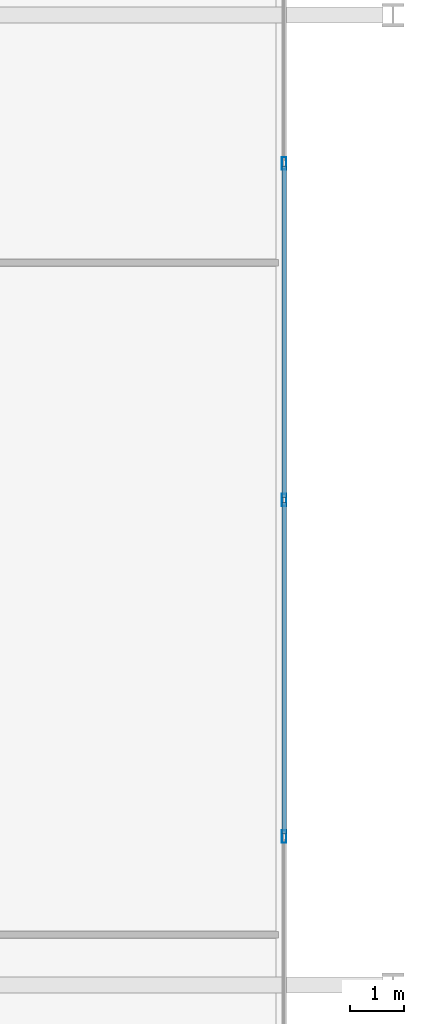
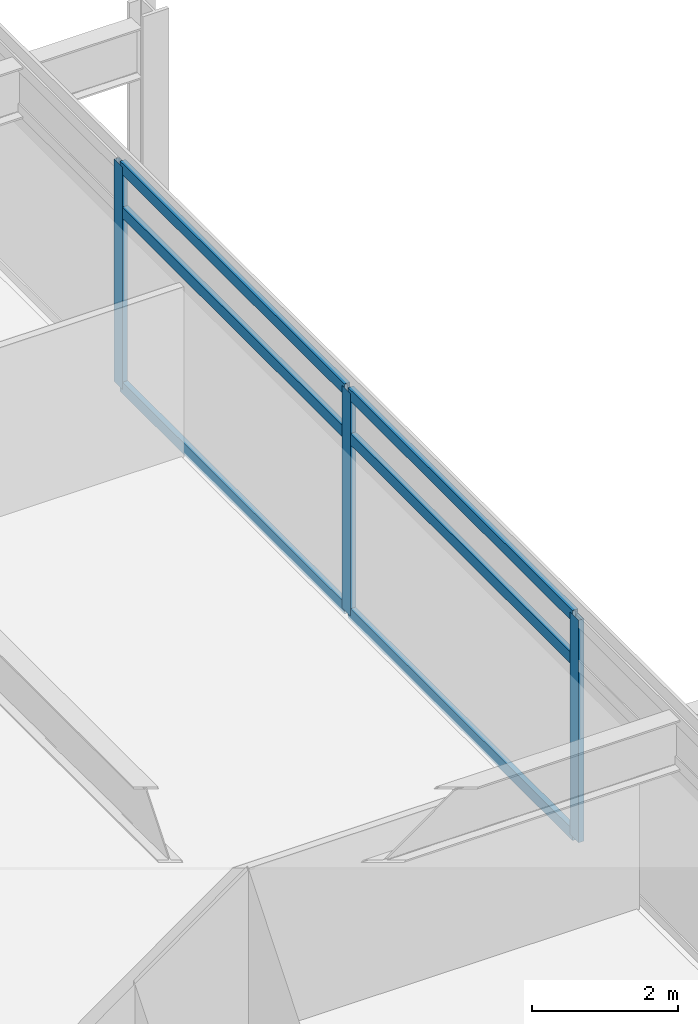
# One storey, part 4 of 22: 9 members, 1 element without a shape of its own.
"""IFC4 building model written with IfcOpenShell, lengths in metres."""

from ifc_helpers import new_model, si_unit, direction, frame, origin, origin_2d, place, context, subcontext, project, spatial, hollow_rectangle, extrude, material, material_profile, profile_set, type_object, element, aggregate, save


model = new_model("IFC4")

# Units and contexts
model_context = context("Model", 3, precision=1e-05, world=origin(), true_north=direction((0.0, 1.0)))
body_context = subcontext(model_context, "Body", "Model", "MODEL_VIEW")
ifc_project = project(units=[si_unit("LENGTHUNIT", "METRE"), si_unit("AREAUNIT", "SQUARE_METRE"), si_unit("VOLUMEUNIT", "CUBIC_METRE"), si_unit("PLANEANGLEUNIT", "RADIAN"), si_unit("MASSUNIT", "GRAM", prefix="KILO")], contexts=[model_context])

# Site, building, storey
site_placement = place(None, origin())
site = spatial("IfcSite", under=ifc_project, at=site_placement, CompositionType="ELEMENT")
building_placement = place(site_placement, origin())
building = spatial("IfcBuilding", under=site, at=building_placement, Name="Kovane Verandah Tower", CompositionType="ELEMENT")
storey_placement = place(building_placement, frame((0.0, 0.0, 51.60009765625)))
storey = spatial("IfcBuildingStorey", under=building, at=storey_placement, Name="L11", CompositionType="ELEMENT", Elevation=51.60009765625)

# Curtain wall, members
ifc_material_1 = material(Name="Champagne Anodised Aluminium Frame with Low-E Clear Laminated Glass", Category="aluminium")
curtain_wall_type = type_object("IfcCurtainWallType", Name="CW-SYS-02-LOW", PredefinedType="NOTDEFINED", material=ifc_material_1)
curtain_wall_placement = place(storey_placement, origin())
curtain_wall = element("IfcCurtainWall", 1, at=curtain_wall_placement, inside=storey, type_object=curtain_wall_type, Name="L11 E Unitised Curtain Wall", PredefinedType="NOTDEFINED")
ifc_material_2 = material(Name="Champagne Anodised Aluminium 6063-T6", Category="aluminium")
ifc_material_profile_1 = material_profile(ifc_material_2, hollow_rectangle(XDim=0.0849609375, YDim=0.22998046875, WallThickness=0.00390625, at=origin_2d()), Name="AL85x230x4")
ifc_profile_set_1 = profile_set([ifc_material_profile_1], Name="Champagne Anodised Aluminium 6063-T6")
member_type_1 = type_object("IfcMemberType", Name="CW-MUL-85x230", PredefinedType="MULLION", material=ifc_profile_set_1)
member_1_placement = place(storey_placement, frame((65.580322265625, 21.251220703125, 0.02001953125), z_axis=(0.0, 0.0, 1.0), x_axis=(1.0, 0.0, 0.0)))
member_1 = element("IfcMember", 2, at=member_1_placement, type_object=member_type_1, Name="L11 E Unitised Curtain Wall Mullion 3", PredefinedType="MULLION", context=body_context, shape_type="SweptSolid", body=[
    extrude(hollow_rectangle(XDim=0.0849609375, YDim=0.22998046875, WallThickness=0.00390625, at=origin_2d()), origin(), (0.0, 0.0, 1.0), 3.719970703125),
])
member_2_placement = place(storey_placement, frame((65.580322265625, 27.5, 0.02001953125), z_axis=(0.0, 0.0, 1.0), x_axis=(1.0, 0.0, 0.0)))
member_2 = element("IfcMember", 3, at=member_2_placement, type_object=member_type_1, Name="L11 E Unitised Curtain Wall Mullion 4", PredefinedType="MULLION", context=body_context, shape_type="SweptSolid", body=[
    extrude(hollow_rectangle(XDim=0.0849609375, YDim=0.22998046875, WallThickness=0.00390625, at=origin_2d()), origin(), (0.0, 0.0, 1.0), 3.719970703125),
])
member_3_placement = place(storey_placement, frame((65.580322265625, 33.748779296875, 0.02001953125), z_axis=(0.0, 0.0, 1.0), x_axis=(1.0, 0.0, 0.0)))
member_3 = element("IfcMember", 4, at=member_3_placement, type_object=member_type_1, Name="L11 E Unitised Curtain Wall Mullion 5", PredefinedType="MULLION", context=body_context, shape_type="SweptSolid", body=[
    extrude(hollow_rectangle(XDim=0.0849609375, YDim=0.22998046875, WallThickness=0.00390625, at=origin_2d()), origin(), (0.0, 0.0, 1.0), 3.719970703125),
])
ifc_material_profile_2 = material_profile(ifc_material_2, hollow_rectangle(XDim=0.0849609375, YDim=0.18994140625, WallThickness=0.00390625, at=origin_2d()), Name="AL85x190x4")
ifc_profile_set_2 = profile_set([ifc_material_profile_2], Name="Champagne Anodised Aluminium 6063-T6")
member_type_2 = type_object("IfcMemberType", Name="CW-TRN-85x190", PredefinedType="USERDEFINED", material=ifc_profile_set_2)
member_4_placement = place(storey_placement, frame((65.580322265625, 21.30126953125, 0.0498046875), z_axis=(0.0, 1.0, 0.0), x_axis=(-1.0, 0.0, 0.0)))
member_4 = element("IfcMember", 5, at=member_4_placement, type_object=member_type_2, Name="L11 E Unitised Curtain Wall Transom TB Bay 3", ObjectType="TRANSOM", PredefinedType="USERDEFINED", context=body_context, shape_type="SweptSolid", body=[
    extrude(hollow_rectangle(XDim=0.0849609375, YDim=0.18994140625, WallThickness=0.00390625, at=origin_2d()), origin(), (0.0, 0.0, 1.0), 6.148681640625),
])
member_5_placement = place(storey_placement, frame((65.580322265625, 21.30126953125, 2.97998046875), z_axis=(0.0, 1.0, 0.0), x_axis=(-1.0, 0.0, 0.0)))
member_5 = element("IfcMember", 6, at=member_5_placement, type_object=member_type_2, Name="L11 E Unitised Curtain Wall Transom TM Bay 3", ObjectType="TRANSOM", PredefinedType="USERDEFINED", context=body_context, shape_type="SweptSolid", body=[
    extrude(hollow_rectangle(XDim=0.0849609375, YDim=0.18994140625, WallThickness=0.00390625, at=origin_2d()), origin(), (0.0, 0.0, 1.0), 6.148681640625),
])
member_6_placement = place(storey_placement, frame((65.580322265625, 21.30126953125, 3.7099609375), z_axis=(0.0, 1.0, 0.0), x_axis=(-1.0, 0.0, 0.0)))
member_6 = element("IfcMember", 7, at=member_6_placement, type_object=member_type_2, Name="L11 E Unitised Curtain Wall Transom TT Bay 3", ObjectType="TRANSOM", PredefinedType="USERDEFINED", context=body_context, shape_type="SweptSolid", body=[
    extrude(hollow_rectangle(XDim=0.0849609375, YDim=0.18994140625, WallThickness=0.00390625, at=origin_2d()), origin(), (0.0, 0.0, 1.0), 6.148681640625),
])
member_7_placement = place(storey_placement, frame((65.580322265625, 27.550048828125, 0.0498046875), z_axis=(0.0, 1.0, 0.0), x_axis=(-1.0, 0.0, 0.0)))
member_7 = element("IfcMember", 8, at=member_7_placement, type_object=member_type_2, Name="L11 E Unitised Curtain Wall Transom TB Bay 4", ObjectType="TRANSOM", PredefinedType="USERDEFINED", context=body_context, shape_type="SweptSolid", body=[
    extrude(hollow_rectangle(XDim=0.0849609375, YDim=0.18994140625, WallThickness=0.00390625, at=origin_2d()), origin(), (0.0, 0.0, 1.0), 6.148681640625),
])
member_8_placement = place(storey_placement, frame((65.580322265625, 27.550048828125, 2.97998046875), z_axis=(0.0, 1.0, 0.0), x_axis=(-1.0, 0.0, 0.0)))
member_8 = element("IfcMember", 9, at=member_8_placement, type_object=member_type_2, Name="L11 E Unitised Curtain Wall Transom TM Bay 4", ObjectType="TRANSOM", PredefinedType="USERDEFINED", context=body_context, shape_type="SweptSolid", body=[
    extrude(hollow_rectangle(XDim=0.0849609375, YDim=0.18994140625, WallThickness=0.00390625, at=origin_2d()), origin(), (0.0, 0.0, 1.0), 6.148681640625),
])
member_9_placement = place(storey_placement, frame((65.580322265625, 27.550048828125, 3.7099609375), z_axis=(0.0, 1.0, 0.0), x_axis=(-1.0, 0.0, 0.0)))
member_9 = element("IfcMember", 10, at=member_9_placement, type_object=member_type_2, Name="L11 E Unitised Curtain Wall Transom TT Bay 4", ObjectType="TRANSOM", PredefinedType="USERDEFINED", context=body_context, shape_type="SweptSolid", body=[
    extrude(hollow_rectangle(XDim=0.0849609375, YDim=0.18994140625, WallThickness=0.00390625, at=origin_2d()), origin(), (0.0, 0.0, 1.0), 6.148681640625),
])
aggregate(curtain_wall, [member_1, member_2, member_3, member_4, member_5, member_6, member_7, member_8, member_9])

save(model, "model.ifc")
